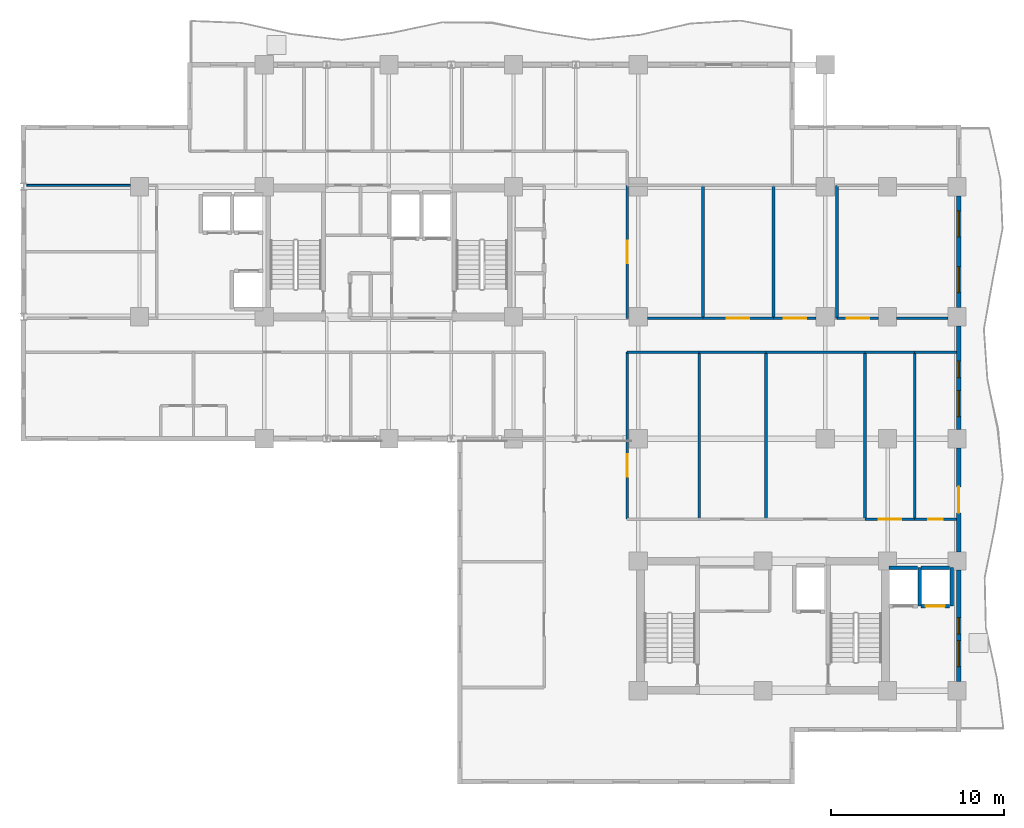
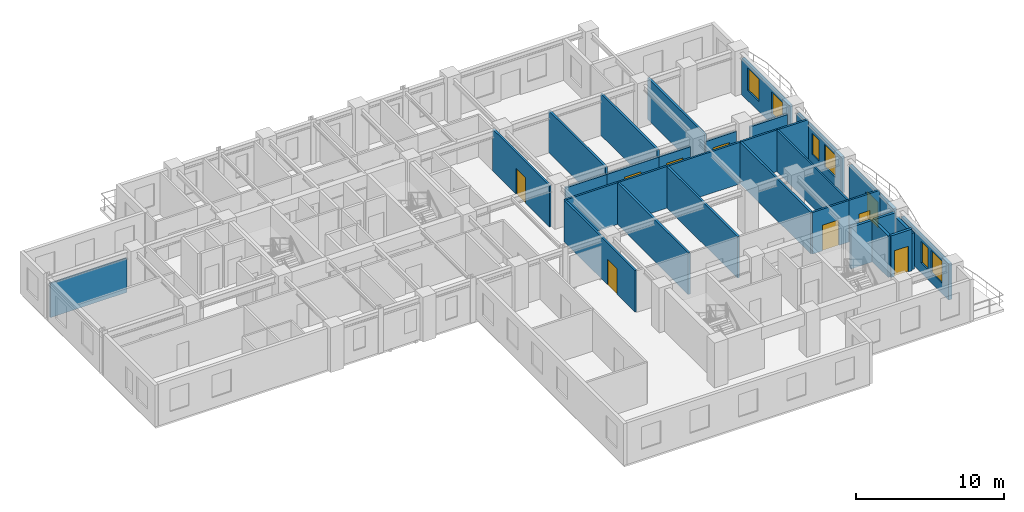
# One storey, part 7 of 13: 31 walls, 9 doors, 6 windows, 15 openings.
"""IFC4 building model written with IfcOpenShell, lengths in metres."""

import ifcopenshell
import ifcopenshell.guid

model = None  # the IFC model being written
_history = None  # IfcOwnerHistory: only IFC2X3 demands one
_inside = {}  # id of a spatial element -> (the spatial element, [elements in it])
_under = {}  # id of a project, library or spatial element -> (it, [spatial elements below it])
_declared = {}  # id of a project -> (the project, [libraries it declares])
_typed = {}  # id of a type object -> (the type object, [elements of that type])
_made_of = {}  # id of a material, layer set ... -> (it, [elements and type objects made of it])


def new_model(schema):
    """Start an empty IFC model of exactly this schema.

    Asked for "IFC4X3", IfcOpenShell would pick the latest addendum, in which some entities
    have other attributes; the version numbers below select the first issue.
    IFC2X3 requires an IfcOwnerHistory on every rooted entity: one is made here for all.
    """
    global model, _history
    if schema == "IFC4X3":
        model = ifcopenshell.file(schema_version=(4, 3, 0, 0))
    else:
        model = ifcopenshell.file(schema=schema)
    _inside.clear()
    _under.clear()
    _declared.clear()
    _typed.clear()
    _made_of.clear()
    _history = None
    if model.schema == "IFC2X3":
        org = make("IfcOrganization", Name="unknown")
        user = make(
            "IfcPersonAndOrganization",
            ThePerson=make("IfcPerson", FamilyName="unknown"),
            TheOrganization=org,
        )
        app = make(
            "IfcApplication",
            ApplicationDeveloper=org,
            Version="unknown",
            ApplicationFullName="unknown",
            ApplicationIdentifier="unknown",
        )
        _history = make(
            "IfcOwnerHistory",
            OwningUser=user,
            OwningApplication=app,
            ChangeAction="ADDED",
            CreationDate=0,
        )
    return model


def make(cls, **values):
    """One entity of the class cls with the attributes given. An attribute that is None is left unset."""
    return model.create_entity(
        cls, **{name: value for name, value in values.items() if value is not None}
    )


def rooted(cls, **values):
    """An entity with a GlobalId (a new one), such as an element, a storey or a relation."""
    return make(cls, GlobalId=ifcopenshell.guid.new(), OwnerHistory=_history, **values)


def si_unit(unit_type, name, prefix=None):
    """IfcSIUnit, for example si_unit("LENGTHUNIT", "METRE", prefix="MILLI")."""
    return make("IfcSIUnit", UnitType=unit_type, Prefix=prefix, Name=name)


def assignment(units):
    """IfcUnitAssignment: the units of a project."""
    return None if units is None else make("IfcUnitAssignment", Units=units)


def point(xyz):
    """IfcCartesianPoint."""
    return None if xyz is None else make("IfcCartesianPoint", Coordinates=xyz)


def direction(xyz):
    """IfcDirection."""
    return None if xyz is None else make("IfcDirection", DirectionRatios=xyz)


def frame(location, z_axis=None, x_axis=None):
    """IfcAxis2Placement3D, a coordinate frame: its origin and axes. An axis left out is left unset."""
    return make(
        "IfcAxis2Placement3D",
        Location=point(location),
        Axis=direction(z_axis),
        RefDirection=direction(x_axis),
    )


def frame_2d(location, x_axis=None):
    """IfcAxis2Placement2D, a coordinate frame in the plane: its origin and x axis."""
    return make(
        "IfcAxis2Placement2D", Location=point(location), RefDirection=direction(x_axis)
    )


def origin():
    """The frame at (0, 0, 0) with its axes left unset."""
    return frame((0.0, 0.0, 0.0))


def place(relative_to, where):
    """IfcLocalPlacement: puts the frame where relative to a parent placement (None: the world)."""
    return make(
        "IfcLocalPlacement", PlacementRelTo=relative_to, RelativePlacement=where
    )


def context(
    kind, dimensions, precision=None, world=None, true_north=None, identifier=None
):
    """IfcGeometricRepresentationContext, for example the 3D "Model" context."""
    return make(
        "IfcGeometricRepresentationContext",
        ContextIdentifier=identifier,
        ContextType=kind,
        CoordinateSpaceDimension=dimensions,
        Precision=precision,
        WorldCoordinateSystem=world,
        TrueNorth=true_north,
    )


def subcontext(parent, identifier, kind, view, scale=None):
    """IfcGeometricRepresentationSubContext, for example "Body" below "Model"."""
    return make(
        "IfcGeometricRepresentationSubContext",
        ContextIdentifier=identifier,
        ContextType=kind,
        ParentContext=parent,
        TargetScale=scale,
        TargetView=view,
    )


def project(units=None, contexts=None):
    """IfcProject with its units and contexts."""
    return rooted(
        "IfcProject",
        Name="project",
        RepresentationContexts=contexts,
        UnitsInContext=assignment(units),
    )


def spatial(cls, under=None, at=None, **own):
    """A site, building, storey or space (cls), placed at a placement, below another one or the project."""
    s = rooted(cls, ObjectPlacement=at, **own)
    if under is not None:
        _under.setdefault(under.id(), (under, []))[1].append(s)
    return s


def profile(cls, at=None, kind="AREA", **sizes):
    """A parametric profile (cls). Its sizes go by their IFC names, for example OverallWidth=200.0."""
    return make(cls, ProfileType=kind, Position=at, **sizes)


def rectangle(**sizes):
    """IfcRectangleProfileDef."""
    return profile("IfcRectangleProfileDef", **sizes)


def extrude(swept, where, along, depth):
    """IfcExtrudedAreaSolid: the profile swept, set in the frame where, extruded along a direction by depth."""
    return make(
        "IfcExtrudedAreaSolid",
        SweptArea=swept,
        Position=where,
        ExtrudedDirection=direction(along),
        Depth=depth,
    )


def shape(context_of_items, identifier, shape_type, items):
    """IfcShapeRepresentation: the items that make up one representation, for example the "Body"."""
    return make(
        "IfcShapeRepresentation",
        ContextOfItems=context_of_items,
        RepresentationIdentifier=identifier,
        RepresentationType=shape_type,
        Items=items,
    )


def material(Name=None, Category=None):
    """IfcMaterial."""
    return make("IfcMaterial", Name=Name, Category=Category)


def layer(
    of_material, thickness, ventilated=None, Name=None, Category=None, Priority=None
):
    """IfcMaterialLayer: one layer of a wall or slab, of a material (None: an air gap)."""
    return make(
        "IfcMaterialLayer",
        Material=of_material,
        LayerThickness=thickness,
        IsVentilated=ventilated,
        Name=Name,
        Category=Category,
        Priority=Priority,
    )


def layer_set(layers, Name=None):
    """IfcMaterialLayerSet."""
    return make("IfcMaterialLayerSet", MaterialLayers=layers, LayerSetName=Name)


def made_of(thing, what):
    """Note that an element or type object is made of a material, layer set ...; save() writes the relation."""
    if what is not None:
        _made_of.setdefault(what.id(), (what, []))[1].append(thing)
    return thing


def type_object(cls, material=None, **own):
    """A type object (cls), such as IfcWallType, which elements share."""
    return made_of(rooted(cls, **own), material)


def element(
    cls,
    number,
    at=None,
    inside=None,
    cuts=None,
    type_object=None,
    material=None,
    context=None,
    identifier="Body",
    shape_type=None,
    held_by="IfcProductDefinitionShape",
    body=None,
    shapes=None,
    **own,
):
    """One element of the class cls, such as IfcWall. Its Tag is "e" and its number.

    at: its placement. inside: the storey or other place that contains it. cuts: it is an
    opening in that element (IfcRelVoidsElement). A single representation is given by context,
    identifier, shape_type and body (its items); several are given by shapes. held_by: the class
    of the entity that holds the representations. save() writes the other relations.
    """
    e = rooted(cls, Tag="e%d" % number, ObjectPlacement=at, **own)
    if body is not None:
        shapes = [shape(context, identifier, shape_type, body)]
    if shapes is not None:
        e.Representation = make(held_by, Representations=shapes)
    if inside is not None:
        _inside.setdefault(inside.id(), (inside, []))[1].append(e)
    if cuts is not None:
        rooted(
            "IfcRelVoidsElement", RelatingBuildingElement=cuts, RelatedOpeningElement=e
        )
    if type_object is not None:
        _typed.setdefault(type_object.id(), (type_object, []))[1].append(e)
    return made_of(e, material)


def fill(opening, filler):
    """IfcRelFillsElement: the door or window that sits in an opening."""
    return rooted(
        "IfcRelFillsElement",
        RelatingOpeningElement=opening,
        RelatedBuildingElement=filler,
    )


def aggregate(whole, parts):
    """IfcRelAggregates: a whole, such as a stair, and the parts it consists of."""
    return rooted("IfcRelAggregates", RelatingObject=whole, RelatedObjects=parts)


def save(model, path):
    """Write the relations noted so far, then the file.

    IfcRelAggregates (storeys below a building ...), IfcRelContainedInSpatialStructure (elements
    in a storey), IfcRelDefinesByType, IfcRelAssociatesMaterial and IfcRelDeclares: one each for
    every whole, place, type object, material and project.
    """
    for whole, parts in _under.values():
        aggregate(whole, parts)
    for where, things in _inside.values():
        rooted(
            "IfcRelContainedInSpatialStructure",
            RelatedElements=things,
            RelatingStructure=where,
        )
    for kind, things in _typed.values():
        rooted("IfcRelDefinesByType", RelatedObjects=things, RelatingType=kind)
    for what, things in _made_of.values():
        rooted("IfcRelAssociatesMaterial", RelatedObjects=things, RelatingMaterial=what)
    for by, libraries in _declared.values():
        rooted("IfcRelDeclares", RelatingContext=by, RelatedDefinitions=libraries)
    model.write(path)


model = new_model("IFC4")

# Units and contexts
model_context = context("Model", 3, precision=1e-05, world=origin(), true_north=direction((0.0, 1.0)))
body_context = subcontext(model_context, "Body", "Model", "MODEL_VIEW")
ifc_project = project(units=[si_unit("LENGTHUNIT", "METRE"), si_unit("AREAUNIT", "SQUARE_METRE"), si_unit("VOLUMEUNIT", "CUBIC_METRE"), si_unit("PLANEANGLEUNIT", "RADIAN"), si_unit("MASSUNIT", "GRAM", prefix="KILO")], contexts=[model_context])

# Site, building, storey
site_placement = place(None, origin())
site = spatial("IfcSite", under=ifc_project, at=site_placement, CompositionType="ELEMENT")
building_placement = place(site_placement, origin())
building = spatial("IfcBuilding", under=site, at=building_placement, Name="Kaliganga Portal Commons", CompositionType="ELEMENT")
storey_placement = place(building_placement, frame((0.0, 0.0, 173.5)))
storey = spatial("IfcBuildingStorey", under=building, at=storey_placement, Name="L44", CompositionType="ELEMENT", Elevation=173.5)

# Wall, openings, windows
ifc_material_1 = material(Name="Insulated Aluminium-Clad Spandrel Assembly", Category="aluminium")
ifc_layer_1 = layer(ifc_material_1, 0.260009765625)
ifc_layer_set_1 = layer_set([ifc_layer_1], Name="Insulated Aluminium-Clad Spandrel Assembly")
wall_type_1 = type_object("IfcWallType", Name="WL-EXT-SPAND-260", PredefinedType="STANDARD", material=ifc_layer_set_1)
wall_1_placement = place(storey_placement, frame((54.5, 14.02392578125, 0.0), z_axis=(0.0, 0.0, 1.0), x_axis=(0.0, -1.0, 0.0)))
wall_1 = element("IfcWall", 1, at=wall_1_placement, inside=storey, type_object=wall_type_1, Name="Exterior Envelope Wall L44 P1-E03-S2", PredefinedType="STANDARD", context=body_context, shape_type="SweptSolid", body=[
    extrude(rectangle(XDim=6.447998046875, YDim=0.260009765625, at=frame_2d((3.22412109375, 0.0))), origin(), (0.0, 0.0, 1.0), 2.989990234375),
])
opening_1_placement = place(wall_1_placement, frame((4.0859375, 0.0, 0.85009765625)))
opening_1 = element("IfcOpeningElement", 2, at=opening_1_placement, cuts=wall_1, Name="Opening W-02", PredefinedType="OPENING", context=body_context, shape_type="SweptSolid", body=[
    extrude(rectangle(XDim=1.5, YDim=1.85009765625, at=frame_2d((0.75, 0.925048828125))), frame((0.0, 0.14013671875, 0.0), z_axis=(0.0, -1.0, 0.0), x_axis=(1.0, 0.0, 0.0)), (0.0, 0.0, 1.0), 0.280029296875),
])
opening_2_placement = place(wall_1_placement, frame((2.7490234375, 0.0, 0.85009765625)))
opening_2 = element("IfcOpeningElement", 3, at=opening_2_placement, cuts=wall_1, Name="Opening W-04", PredefinedType="OPENING", context=body_context, shape_type="SweptSolid", body=[
    extrude(rectangle(XDim=0.949951171875, YDim=1.75, at=frame_2d((0.47509765625, 0.875))), frame((0.0, 0.14013671875, 0.0), z_axis=(0.0, -1.0, 0.0), x_axis=(1.0, 0.0, 0.0)), (0.0, 0.0, 1.0), 0.280029296875),
])
ifc_material_2 = material(Name="Thermally Broken Aluminium and Low-E Double Glazing", Category="aluminium")
window_type_1 = type_object("IfcWindowType", Name="WIN-NARROW-950", PartitioningType="SINGLE_PANEL", PredefinedType="WINDOW", material=ifc_material_2)
window_1_placement = place(opening_2_placement, origin())
window_1 = element("IfcWindow", 4, at=window_1_placement, inside=storey, type_object=window_type_1, Name="Facade Window L44-P1E03S2-N0", OverallHeight=1.75, OverallWidth=0.949951171875, PartitioningType="SINGLE_PANEL", PredefinedType="WINDOW", context=body_context, shape_type="SweptSolid", body=[
    extrude(rectangle(XDim=0.949951171875, YDim=1.75, at=frame_2d((0.47509765625, 0.875))), frame((0.0, 0.030029296875, 0.0), z_axis=(0.0, -1.0, 0.0), x_axis=(1.0, 0.0, 0.0)), (0.0, 0.0, 1.0), 0.06005859375),
])
fill(opening_2, window_1)
window_type_2 = type_object("IfcWindowType", Name="WIN-STD-1500", PartitioningType="DOUBLE_PANEL_VERTICAL", PredefinedType="WINDOW", material=ifc_material_2)
window_2_placement = place(opening_1_placement, origin())
window_2 = element("IfcWindow", 5, at=window_2_placement, inside=storey, type_object=window_type_2, Name="Facade Window L44-P1E03S2-01", OverallHeight=1.85009765625, OverallWidth=1.5, PartitioningType="SINGLE_PANEL", PredefinedType="WINDOW", context=body_context, shape_type="SweptSolid", body=[
    extrude(rectangle(XDim=1.5, YDim=1.85009765625, at=frame_2d((0.75, 0.925048828125))), frame((0.0, 0.030029296875, 0.0), z_axis=(0.0, -1.0, 0.0), x_axis=(1.0, 0.0, 0.0)), (0.0, 0.0, 1.0), 0.06005859375),
])
fill(opening_1, window_2)

# Wall, opening, door
wall_2_placement = place(storey_placement, frame((54.5, 21.073974609375, 0.0), z_axis=(0.0, 0.0, 1.0), x_axis=(0.0, -1.0, 0.0)))
wall_2 = element("IfcWall", 6, at=wall_2_placement, inside=storey, type_object=wall_type_1, Name="Exterior Envelope Wall L44 P1-E03-S3", PredefinedType="STANDARD", context=body_context, shape_type="SweptSolid", body=[
    extrude(rectangle(XDim=5.998046875, YDim=0.260009765625, at=frame_2d((2.9990234375, 0.0))), origin(), (0.0, 0.0, 1.0), 2.989990234375),
])
opening_3_placement = place(wall_2_placement, frame((2.2490234375, 0.0, 0.0)))
opening_3 = element("IfcOpeningElement", 7, at=opening_3_placement, cuts=wall_2, Name="Opening BD-01", PredefinedType="OPENING", context=body_context, shape_type="SweptSolid", body=[
    extrude(rectangle(XDim=1.5, YDim=2.14990234375, at=frame_2d((0.75, 1.074951171875))), frame((0.0, 0.14013671875, 0.0), z_axis=(0.0, -1.0, 0.0), x_axis=(1.0, 0.0, 0.0)), (0.0, 0.0, 1.0), 0.280029296875),
])
ifc_material_3 = material(Name="Anodized Aluminium and Laminated Safety Glass", Category="aluminium")
door_type_1 = type_object("IfcDoorType", Name="DR-BALC-1500", OperationType="SLIDING_TO_LEFT", PredefinedType="DOOR", material=ifc_material_3)
door_1_placement = place(opening_3_placement, origin())
door_1 = element("IfcDoor", 8, at=door_1_placement, inside=storey, type_object=door_type_1, Name="Balcony Sliding Door L44 balc_east", OperationType="SLIDING_TO_LEFT", OverallHeight=2.14990234375, OverallWidth=1.5, PredefinedType="DOOR", context=body_context, shape_type="SweptSolid", body=[
    extrude(rectangle(XDim=1.5, YDim=2.14990234375, at=frame_2d((0.75, 1.074951171875))), frame((0.0, 0.02490234375, 0.0), z_axis=(0.0, -1.0, 0.0), x_axis=(1.0, 0.0, 0.0)), (0.0, 0.0, 1.0), 0.050048828125),
])
fill(opening_3, door_1)

# Wall, openings, windows
wall_3_placement = place(storey_placement, frame((54.5, 28.1240234375, 0.0), z_axis=(0.0, 0.0, 1.0), x_axis=(0.0, -1.0, 0.0)))
wall_3 = element("IfcWall", 9, at=wall_3_placement, inside=storey, type_object=wall_type_1, Name="Exterior Envelope Wall L44 P1-E03-S4", PredefinedType="STANDARD", context=body_context, shape_type="SweptSolid", body=[
    extrude(rectangle(XDim=5.998046875, YDim=0.260009765625, at=frame_2d((2.9990234375, 0.0))), origin(), (0.0, 0.0, 1.0), 2.989990234375),
])
opening_4_placement = place(wall_3_placement, frame((3.74853515625, 0.0, 0.85009765625)))
opening_4 = element("IfcOpeningElement", 10, at=opening_4_placement, cuts=wall_3, Name="Opening W-02", PredefinedType="OPENING", context=body_context, shape_type="SweptSolid", body=[
    extrude(rectangle(XDim=1.5, YDim=1.85009765625, at=frame_2d((0.75, 0.925048828125))), frame((0.0, 0.14013671875, 0.0), z_axis=(0.0, -1.0, 0.0), x_axis=(1.0, 0.0, 0.0)), (0.0, 0.0, 1.0), 0.280029296875),
])
opening_5_placement = place(wall_3_placement, frame((2.044189453125, 0.0, 0.85009765625)))
opening_5 = element("IfcOpeningElement", 11, at=opening_5_placement, cuts=wall_3, Name="Opening W-04", PredefinedType="OPENING", context=body_context, shape_type="SweptSolid", body=[
    extrude(rectangle(XDim=0.949951171875, YDim=1.75, at=frame_2d((0.47509765625, 0.875))), frame((0.0, 0.14013671875, 0.0), z_axis=(0.0, -1.0, 0.0), x_axis=(1.0, 0.0, 0.0)), (0.0, 0.0, 1.0), 0.280029296875),
])
window_3_placement = place(opening_5_placement, origin())
window_3 = element("IfcWindow", 12, at=window_3_placement, inside=storey, type_object=window_type_1, Name="Facade Window L44-P1E03S4-N5", OverallHeight=1.75, OverallWidth=0.949951171875, PartitioningType="SINGLE_PANEL", PredefinedType="WINDOW", context=body_context, shape_type="SweptSolid", body=[
    extrude(rectangle(XDim=0.949951171875, YDim=1.75, at=frame_2d((0.47509765625, 0.875))), frame((0.0, 0.030029296875, 0.0), z_axis=(0.0, -1.0, 0.0), x_axis=(1.0, 0.0, 0.0)), (0.0, 0.0, 1.0), 0.06005859375),
])
fill(opening_5, window_3)
window_4_placement = place(opening_4_placement, origin())
window_4 = element("IfcWindow", 13, at=window_4_placement, inside=storey, type_object=window_type_2, Name="Facade Window L44-P1E03S4-01", OverallHeight=1.85009765625, OverallWidth=1.5, PartitioningType="SINGLE_PANEL", PredefinedType="WINDOW", context=body_context, shape_type="SweptSolid", body=[
    extrude(rectangle(XDim=1.5, YDim=1.85009765625, at=frame_2d((0.75, 0.925048828125))), frame((0.0, 0.030029296875, 0.0), z_axis=(0.0, -1.0, 0.0), x_axis=(1.0, 0.0, 0.0)), (0.0, 0.0, 1.0), 0.06005859375),
])
fill(opening_4, window_4)

wall_4_placement = place(storey_placement, frame((54.5, 35.6240234375, 0.0), z_axis=(0.0, 0.0, 1.0), x_axis=(0.0, -1.0, 0.0)))
wall_4 = element("IfcWall", 14, at=wall_4_placement, inside=storey, type_object=wall_type_1, Name="Exterior Envelope Wall L44 P1-E03-S5", PredefinedType="STANDARD", context=body_context, shape_type="SweptSolid", body=[
    extrude(rectangle(XDim=6.447998046875, YDim=0.260009765625, at=frame_2d((3.22412109375, 0.0))), origin(), (0.0, 0.0, 1.0), 2.989990234375),
])
opening_6_placement = place(wall_4_placement, frame((0.862060546875, 0.0, 0.85009765625)))
opening_6 = element("IfcOpeningElement", 15, at=opening_6_placement, cuts=wall_4, Name="Opening W-02", PredefinedType="OPENING", context=body_context, shape_type="SweptSolid", body=[
    extrude(rectangle(XDim=1.5, YDim=1.85009765625, at=frame_2d((0.75, 0.925048828125))), frame((0.0, 0.14013671875, 0.0), z_axis=(0.0, -1.0, 0.0), x_axis=(1.0, 0.0, 0.0)), (0.0, 0.0, 1.0), 0.280029296875),
])
opening_7_placement = place(wall_4_placement, frame((4.0859375, 0.0, 0.85009765625)))
opening_7 = element("IfcOpeningElement", 16, at=opening_7_placement, cuts=wall_4, Name="Opening W-02", PredefinedType="OPENING", context=body_context, shape_type="SweptSolid", body=[
    extrude(rectangle(XDim=1.5, YDim=1.85009765625, at=frame_2d((0.75, 0.925048828125))), frame((0.0, 0.14013671875, 0.0), z_axis=(0.0, -1.0, 0.0), x_axis=(1.0, 0.0, 0.0)), (0.0, 0.0, 1.0), 0.280029296875),
])
window_5_placement = place(opening_6_placement, origin())
window_5 = element("IfcWindow", 17, at=window_5_placement, inside=storey, type_object=window_type_2, Name="Facade Window L44-P1E03S5-00", OverallHeight=1.85009765625, OverallWidth=1.5, PartitioningType="SINGLE_PANEL", PredefinedType="WINDOW", context=body_context, shape_type="SweptSolid", body=[
    extrude(rectangle(XDim=1.5, YDim=1.85009765625, at=frame_2d((0.75, 0.925048828125))), frame((0.0, 0.030029296875, 0.0), z_axis=(0.0, -1.0, 0.0), x_axis=(1.0, 0.0, 0.0)), (0.0, 0.0, 1.0), 0.06005859375),
])
fill(opening_6, window_5)
window_6_placement = place(opening_7_placement, origin())
window_6 = element("IfcWindow", 18, at=window_6_placement, inside=storey, type_object=window_type_2, Name="Facade Window L44-P1E03S5-01", OverallHeight=1.85009765625, OverallWidth=1.5, PartitioningType="SINGLE_PANEL", PredefinedType="WINDOW", context=body_context, shape_type="SweptSolid", body=[
    extrude(rectangle(XDim=1.5, YDim=1.85009765625, at=frame_2d((0.75, 0.925048828125))), frame((0.0, 0.030029296875, 0.0), z_axis=(0.0, -1.0, 0.0), x_axis=(1.0, 0.0, 0.0)), (0.0, 0.0, 1.0), 0.06005859375),
])
fill(opening_7, window_6)

# Wall, opening, door
ifc_material_4 = material(Name="Fire-Rated Gypsum Board on Steel Stud", Category="steel")
ifc_layer_2 = layer(ifc_material_4, 0.14990234375)
ifc_layer_set_2 = layer_set([ifc_layer_2], Name="Fire-Rated Gypsum Board on Steel Stud")
wall_type_2 = type_object("IfcWallType", Name="WL-PART-CORR-150", PredefinedType="PARTITIONING", material=ifc_layer_set_2)
wall_5_placement = place(storey_placement, frame((35.360107421875, 16.9599609375, 0.0), z_axis=(0.0, 0.0, 1.0), x_axis=(0.0, 1.0, 0.0)))
wall_5 = element("IfcWall", 19, at=wall_5_placement, inside=storey, type_object=wall_type_2, Name="Interior Partition L44-007", PredefinedType="PARTITIONING", context=body_context, shape_type="SweptSolid", body=[
    extrude(rectangle(XDim=9.64013671875, YDim=0.14990234375, at=frame_2d((4.820068359375, 0.0))), origin(), (0.0, 0.0, 1.0), 3.43994140625),
])
opening_8_placement = place(wall_5_placement, frame((2.434814453125, 0.0, 0.0)))
opening_8 = element("IfcOpeningElement", 20, at=opening_8_placement, cuts=wall_5, Name="Opening RD-03", PredefinedType="OPENING", context=body_context, shape_type="SweptSolid", body=[
    extrude(rectangle(XDim=1.300048828125, YDim=2.1201171875, at=frame_2d((0.64990234375, 1.06005859375))), frame((0.0, 0.0849609375, 0.0), z_axis=(0.0, -1.0, 0.0), x_axis=(1.0, 0.0, 0.0)), (0.0, 0.0, 1.0), 0.169921875),
])
ifc_material_5 = material(Name="Glazed Timber Seminar Vision Door", Category="wood")
door_type_2 = type_object("IfcDoorType", Name="DR-STUDY-1300", OperationType="DOUBLE_DOOR_SINGLE_SWING", PredefinedType="DOOR", material=ifc_material_5)
door_2_placement = place(opening_8_placement, origin())
door_2 = element("IfcDoor", 21, at=door_2_placement, inside=storey, type_object=door_type_2, Name="Interior Door L44-BM01", OperationType="DOUBLE_DOOR_SINGLE_SWING", OverallHeight=2.1201171875, OverallWidth=1.300048828125, PredefinedType="DOOR", context=body_context, shape_type="SweptSolid", body=[
    extrude(rectangle(XDim=1.300048828125, YDim=2.1201171875, at=frame_2d((0.64990234375, 1.06005859375))), frame((0.0, 0.02490234375, 0.0), z_axis=(0.0, -1.0, 0.0), x_axis=(1.0, 0.0, 0.0)), (0.0, 0.0, 1.0), 0.050048828125),
])
fill(opening_8, door_2)

wall_6_placement = place(storey_placement, frame((35.360107421875, 28.56005859375, 0.0), z_axis=(0.0, 0.0, 1.0), x_axis=(0.0, 1.0, 0.0)))
wall_6 = element("IfcWall", 22, at=wall_6_placement, inside=storey, type_object=wall_type_2, Name="Interior Partition L44-012", PredefinedType="PARTITIONING", context=body_context, shape_type="SweptSolid", body=[
    extrude(rectangle(XDim=7.679931640625, YDim=0.14990234375, at=frame_2d((3.83984375, 0.0))), origin(), (0.0, 0.0, 1.0), 3.43994140625),
])
opening_9_placement = place(wall_6_placement, frame((3.18994140625, 0.0, 0.0)))
opening_9 = element("IfcOpeningElement", 23, at=opening_9_placement, cuts=wall_6, Name="Opening RD-03", PredefinedType="OPENING", context=body_context, shape_type="SweptSolid", body=[
    extrude(rectangle(XDim=1.300048828125, YDim=2.1201171875, at=frame_2d((0.64990234375, 1.06005859375))), frame((0.0, 0.0849609375, 0.0), z_axis=(0.0, -1.0, 0.0), x_axis=(1.0, 0.0, 0.0)), (0.0, 0.0, 1.0), 0.169921875),
])
door_3_placement = place(opening_9_placement, origin())
door_3 = element("IfcDoor", 24, at=door_3_placement, inside=storey, type_object=door_type_2, Name="Interior Door L44-BK01", OperationType="DOUBLE_DOOR_SINGLE_SWING", OverallHeight=2.1201171875, OverallWidth=1.300048828125, PredefinedType="DOOR", context=body_context, shape_type="SweptSolid", body=[
    extrude(rectangle(XDim=1.300048828125, YDim=2.1201171875, at=frame_2d((0.64990234375, 1.06005859375))), frame((0.0, 0.02490234375, 0.0), z_axis=(0.0, -1.0, 0.0), x_axis=(1.0, 0.0, 0.0)), (0.0, 0.0, 1.0), 0.050048828125),
])
fill(opening_9, door_3)

wall_7_placement = place(storey_placement, frame((47.47998046875, 28.56005859375, 0.0), z_axis=(0.0, 0.0, 1.0), x_axis=(1.0, 0.0, 0.0)))
wall_7 = element("IfcWall", 25, at=wall_7_placement, inside=storey, type_object=wall_type_2, Name="Interior Partition L44-015", PredefinedType="PARTITIONING", context=body_context, shape_type="SweptSolid", body=[
    extrude(rectangle(XDim=2.39501953125, YDim=0.14990234375, at=frame_2d((1.197509765625, 0.0))), origin(), (0.0, 0.0, 1.0), 2.840087890625),
])
opening_10_placement = place(wall_7_placement, frame((0.547607421875, 0.0, 0.0)))
opening_10 = element("IfcOpeningElement", 26, at=opening_10_placement, cuts=wall_7, Name="Opening RD-03", PredefinedType="OPENING", context=body_context, shape_type="SweptSolid", body=[
    extrude(rectangle(XDim=1.300048828125, YDim=2.1201171875, at=frame_2d((0.64990234375, 1.06005859375))), frame((0.0, 0.0849609375, 0.0), z_axis=(0.0, -1.0, 0.0), x_axis=(1.0, 0.0, 0.0)), (0.0, 0.0, 1.0), 0.169921875),
])
door_4_placement = place(opening_10_placement, origin())
door_4 = element("IfcDoor", 27, at=door_4_placement, inside=storey, type_object=door_type_2, Name="Interior Door L44-BK04", OperationType="DOUBLE_DOOR_SINGLE_SWING", OverallHeight=2.1201171875, OverallWidth=1.300048828125, PredefinedType="DOOR", context=body_context, shape_type="SweptSolid", body=[
    extrude(rectangle(XDim=1.300048828125, YDim=2.1201171875, at=frame_2d((0.64990234375, 1.06005859375))), frame((0.0, 0.02490234375, 0.0), z_axis=(0.0, -1.0, 0.0), x_axis=(1.0, 0.0, 0.0)), (0.0, 0.0, 1.0), 0.050048828125),
])
fill(opening_10, door_4)

# Walls
wall_8_placement = place(storey_placement, frame((50.925048828125, 28.56005859375, 0.0), z_axis=(0.0, 0.0, 1.0), x_axis=(1.0, 0.0, 0.0)))
element("IfcWall", 28, at=wall_8_placement, inside=storey, type_object=wall_type_2, Name="Interior Partition L44-016", PredefinedType="PARTITIONING", context=body_context, shape_type="SweptSolid", body=[
    extrude(rectangle(XDim=2.949951171875, YDim=0.14990234375, at=frame_2d((1.47509765625, 0.0))), origin(), (0.0, 0.0, 1.0), 2.840087890625),
])
wall_9_placement = place(storey_placement, frame((43.3798828125, 26.60009765625, 0.0), z_axis=(0.0, 0.0, 1.0), x_axis=(1.0, 0.0, 0.0)))
element("IfcWall", 29, at=wall_9_placement, inside=storey, type_object=wall_type_2, Name="Interior Partition L44-018", PredefinedType="PARTITIONING", context=body_context, shape_type="SweptSolid", body=[
    extrude(rectangle(XDim=5.72021484375, YDim=0.14990234375, at=frame_2d((2.860107421875, 0.0))), origin(), (0.0, 0.0, 1.0), 3.43994140625),
])
wall_10_placement = place(storey_placement, frame((36.52490234375, 28.56005859375, 0.0), z_axis=(0.0, 0.0, 1.0), x_axis=(1.0, 0.0, 0.0)))
element("IfcWall", 30, at=wall_10_placement, inside=storey, type_object=wall_type_2, Name="Interior Partition L44-024", PredefinedType="PARTITIONING", context=body_context, shape_type="SweptSolid", body=[
    extrude(rectangle(XDim=3.215087890625, YDim=0.14990234375, at=frame_2d((1.607421875, 0.0))), origin(), (0.0, 0.0, 1.0), 2.840087890625),
])
wall_11_placement = place(storey_placement, frame((35.360107421875, 26.60009765625, 0.0), z_axis=(0.0, 0.0, 1.0), x_axis=(1.0, 0.0, 0.0)))
element("IfcWall", 31, at=wall_11_placement, inside=storey, type_object=wall_type_2, Name="Interior Partition L44-026", PredefinedType="PARTITIONING", context=body_context, shape_type="SweptSolid", body=[
    extrude(rectangle(XDim=4.159912109375, YDim=0.14990234375, at=frame_2d((2.080078125, 0.0))), origin(), (0.0, 0.0, 1.0), 3.43994140625),
])

# Wall, opening, door
wall_12_placement = place(storey_placement, frame((39.739990234375, 28.56005859375, 0.0), z_axis=(0.0, 0.0, 1.0), x_axis=(1.0, 0.0, 0.0)))
wall_12 = element("IfcWall", 32, at=wall_12_placement, inside=storey, type_object=wall_type_2, Name="Interior Partition L44-028", PredefinedType="PARTITIONING", context=body_context, shape_type="SweptSolid", body=[
    extrude(rectangle(XDim=4.06005859375, YDim=0.14990234375, at=frame_2d((2.030029296875, 0.0))), origin(), (0.0, 0.0, 1.0), 2.840087890625),
])
opening_11_placement = place(wall_12_placement, frame((1.3798828125, 0.0, 0.0)))
opening_11 = element("IfcOpeningElement", 33, at=opening_11_placement, cuts=wall_12, Name="Opening RD-03", PredefinedType="OPENING", context=body_context, shape_type="SweptSolid", body=[
    extrude(rectangle(XDim=1.300048828125, YDim=2.1201171875, at=frame_2d((0.64990234375, 1.06005859375))), frame((0.0, 0.0849609375, 0.0), z_axis=(0.0, -1.0, 0.0), x_axis=(1.0, 0.0, 0.0)), (0.0, 0.0, 1.0), 0.169921875),
])
door_5_placement = place(opening_11_placement, origin())
door_5 = element("IfcDoor", 34, at=door_5_placement, inside=storey, type_object=door_type_2, Name="Interior Door L44-BK02", OperationType="DOUBLE_DOOR_SINGLE_SWING", OverallHeight=2.1201171875, OverallWidth=1.300048828125, PredefinedType="DOOR", context=body_context, shape_type="SweptSolid", body=[
    extrude(rectangle(XDim=1.300048828125, YDim=2.1201171875, at=frame_2d((0.64990234375, 1.06005859375))), frame((0.0, 0.02490234375, 0.0), z_axis=(0.0, -1.0, 0.0), x_axis=(1.0, 0.0, 0.0)), (0.0, 0.0, 1.0), 0.050048828125),
])
fill(opening_11, door_5)

# Wall
wall_13_placement = place(storey_placement, frame((39.52001953125, 26.60009765625, 0.0), z_axis=(0.0, 0.0, 1.0), x_axis=(1.0, 0.0, 0.0)))
element("IfcWall", 35, at=wall_13_placement, inside=storey, type_object=wall_type_2, Name="Interior Partition L44-031", PredefinedType="PARTITIONING", context=body_context, shape_type="SweptSolid", body=[
    extrude(rectangle(XDim=3.85986328125, YDim=0.14990234375, at=frame_2d((1.929931640625, 0.0))), origin(), (0.0, 0.0, 1.0), 3.43994140625),
])

# Wall, opening, door
wall_14_placement = place(storey_placement, frame((43.800048828125, 28.56005859375, 0.0), z_axis=(0.0, 0.0, 1.0), x_axis=(1.0, 0.0, 0.0)))
wall_14 = element("IfcWall", 36, at=wall_14_placement, inside=storey, type_object=wall_type_2, Name="Interior Partition L44-034", PredefinedType="PARTITIONING", context=body_context, shape_type="SweptSolid", body=[
    extrude(rectangle(XDim=2.474853515625, YDim=0.14990234375, at=frame_2d((1.2373046875, 0.0))), origin(), (0.0, 0.0, 1.0), 2.840087890625),
])
opening_12_placement = place(wall_14_placement, frame((0.58740234375, 0.0, 0.0)))
opening_12 = element("IfcOpeningElement", 37, at=opening_12_placement, cuts=wall_14, Name="Opening RD-03", PredefinedType="OPENING", context=body_context, shape_type="SweptSolid", body=[
    extrude(rectangle(XDim=1.300048828125, YDim=2.1201171875, at=frame_2d((0.64990234375, 1.06005859375))), frame((0.0, 0.0849609375, 0.0), z_axis=(0.0, -1.0, 0.0), x_axis=(1.0, 0.0, 0.0)), (0.0, 0.0, 1.0), 0.169921875),
])
door_6_placement = place(opening_12_placement, origin())
door_6 = element("IfcDoor", 38, at=door_6_placement, inside=storey, type_object=door_type_2, Name="Interior Door L44-BK03", OperationType="DOUBLE_DOOR_SINGLE_SWING", OverallHeight=2.1201171875, OverallWidth=1.300048828125, PredefinedType="DOOR", context=body_context, shape_type="SweptSolid", body=[
    extrude(rectangle(XDim=1.300048828125, YDim=2.1201171875, at=frame_2d((0.64990234375, 1.06005859375))), frame((0.0, 0.02490234375, 0.0), z_axis=(0.0, -1.0, 0.0), x_axis=(1.0, 0.0, 0.0)), (0.0, 0.0, 1.0), 0.050048828125),
])
fill(opening_12, door_6)

wall_15_placement = place(storey_placement, frame((49.10009765625, 16.9599609375, 0.0), z_axis=(0.0, 0.0, 1.0), x_axis=(1.0, 0.0, 0.0)))
wall_15 = element("IfcWall", 39, at=wall_15_placement, inside=storey, type_object=wall_type_2, Name="Interior Partition L44-038", PredefinedType="PARTITIONING", context=body_context, shape_type="SweptSolid", body=[
    extrude(rectangle(XDim=2.85986328125, YDim=0.14990234375, at=frame_2d((1.429931640625, 0.0))), origin(), (0.0, 0.0, 1.0), 3.43994140625),
])
opening_13_placement = place(wall_15_placement, frame((0.780029296875, 0.0, 0.0)))
opening_13 = element("IfcOpeningElement", 40, at=opening_13_placement, cuts=wall_15, Name="Opening RD-03", PredefinedType="OPENING", context=body_context, shape_type="SweptSolid", body=[
    extrude(rectangle(XDim=1.300048828125, YDim=2.1201171875, at=frame_2d((0.64990234375, 1.06005859375))), frame((0.0, 0.0849609375, 0.0), z_axis=(0.0, -1.0, 0.0), x_axis=(1.0, 0.0, 0.0)), (0.0, 0.0, 1.0), 0.169921875),
])
door_7_placement = place(opening_13_placement, origin())
door_7 = element("IfcDoor", 41, at=door_7_placement, inside=storey, type_object=door_type_2, Name="Interior Door L44-BM04", OperationType="DOUBLE_DOOR_SINGLE_SWING", OverallHeight=2.1201171875, OverallWidth=1.300048828125, PredefinedType="DOOR", context=body_context, shape_type="SweptSolid", body=[
    extrude(rectangle(XDim=1.300048828125, YDim=2.1201171875, at=frame_2d((0.64990234375, 1.06005859375))), frame((0.0, 0.02490234375, 0.0), z_axis=(0.0, -1.0, 0.0), x_axis=(1.0, 0.0, 0.0)), (0.0, 0.0, 1.0), 0.050048828125),
])
fill(opening_13, door_7)

# Wall
wall_16_placement = place(storey_placement, frame((49.10009765625, 26.60009765625, 0.0), z_axis=(0.0, 0.0, 1.0), x_axis=(1.0, 0.0, 0.0)))
element("IfcWall", 42, at=wall_16_placement, inside=storey, type_object=wall_type_2, Name="Interior Partition L44-039", PredefinedType="PARTITIONING", context=body_context, shape_type="SweptSolid", body=[
    extrude(rectangle(XDim=2.85986328125, YDim=0.14990234375, at=frame_2d((1.429931640625, 0.0))), origin(), (0.0, 0.0, 1.0), 3.43994140625),
])

# Wall, opening, door
wall_17_placement = place(storey_placement, frame((51.9599609375, 16.9599609375, 0.0), z_axis=(0.0, 0.0, 1.0), x_axis=(1.0, 0.0, 0.0)))
wall_17 = element("IfcWall", 43, at=wall_17_placement, inside=storey, type_object=wall_type_2, Name="Interior Partition L44-044", PredefinedType="PARTITIONING", context=body_context, shape_type="SweptSolid", body=[
    extrude(rectangle(XDim=2.407958984375, YDim=0.14990234375, at=frame_2d((1.2041015625, 0.0))), origin(), (0.0, 0.0, 1.0), 3.43994140625),
])
opening_14_placement = place(wall_17_placement, frame((0.779052734375, 0.0, 0.0)))
opening_14 = element("IfcOpeningElement", 44, at=opening_14_placement, cuts=wall_17, Name="Opening WD-01", PredefinedType="OPENING", context=body_context, shape_type="SweptSolid", body=[
    extrude(rectangle(XDim=0.85009765625, YDim=2.0400390625, at=frame_2d((0.425048828125, 1.02001953125))), frame((0.0, 0.0849609375, 0.0), z_axis=(0.0, -1.0, 0.0), x_axis=(1.0, 0.0, 0.0)), (0.0, 0.0, 1.0), 0.169921875),
])
ifc_material_6 = material(Name="Moisture-Resistant Laminate Timber Door", Category="wood")
door_type_3 = type_object("IfcDoorType", Name="DR-WET-850", OperationType="NOTDEFINED", PredefinedType="DOOR", material=ifc_material_6)
door_8_placement = place(opening_14_placement, origin())
door_8 = element("IfcDoor", 45, at=door_8_placement, inside=storey, type_object=door_type_3, Name="Interior Door L44-BM05", OperationType="SINGLE_SWING_RIGHT", OverallHeight=2.0400390625, OverallWidth=0.85009765625, PredefinedType="DOOR", context=body_context, shape_type="SweptSolid", body=[
    extrude(rectangle(XDim=0.85009765625, YDim=2.0400390625, at=frame_2d((0.425048828125, 1.02001953125))), frame((0.0, 0.02490234375, 0.0), z_axis=(0.0, -1.0, 0.0), x_axis=(1.0, 0.0, 0.0)), (0.0, 0.0, 1.0), 0.050048828125),
])
fill(opening_14, door_8)

# Walls
wall_18_placement = place(storey_placement, frame((51.9599609375, 26.60009765625, 0.0), z_axis=(0.0, 0.0, 1.0), x_axis=(1.0, 0.0, 0.0)))
element("IfcWall", 46, at=wall_18_placement, inside=storey, type_object=wall_type_2, Name="Interior Partition L44-045", PredefinedType="PARTITIONING", context=body_context, shape_type="SweptSolid", body=[
    extrude(rectangle(XDim=2.407958984375, YDim=0.14990234375, at=frame_2d((1.2041015625, 0.0))), origin(), (0.0, 0.0, 1.0), 3.43994140625),
])
ifc_material_7 = material(Name="Moisture-Resistant Gypsum Partition", Category="gypsum")
ifc_layer_3 = layer(ifc_material_7, 0.114990234375)
ifc_layer_set_3 = layer_set([ifc_layer_3], Name="Moisture-Resistant Gypsum Partition")
wall_type_3 = type_object("IfcWallType", Name="WL-PART-ROOM-115", PredefinedType="PARTITIONING", material=ifc_layer_set_3)
wall_19_placement = place(storey_placement, frame((0.701904296875, 36.239990234375, 0.0), z_axis=(0.0, 0.0, 1.0), x_axis=(1.0, 0.0, 0.0)))
element("IfcWall", 47, at=wall_19_placement, inside=storey, type_object=wall_type_3, Name="Interior Partition L44-063", PredefinedType="PARTITIONING", context=body_context, shape_type="SweptSolid", body=[
    extrude(rectangle(XDim=5.97314453125, YDim=0.114990234375, at=frame_2d((2.986572265625, 0.0))), origin(), (0.0, 0.0, 1.0), 2.840087890625),
])
ifc_material_8 = material(Name="Twin-Stud Acoustic Gypsum Partition", Category="gypsum")
ifc_layer_4 = layer(ifc_material_8, 0.1650390625)
ifc_layer_set_4 = layer_set([ifc_layer_4], Name="Twin-Stud Acoustic Gypsum Partition")
wall_type_4 = type_object("IfcWallType", Name="WL-PART-UNIT-165", PredefinedType="PARTITIONING", material=ifc_layer_set_4)
for number, where, z_axis, x_axis, name in (
    (48, (39.52001953125, 16.9599609375, 0.0), (0.0, 0.0, 1.0), (0.0, 1.0, 0.0), "Interior Partition L44-058"),
    (49, (43.3798828125, 16.9599609375, 0.0), (0.0, 0.0, 1.0), (0.0, 1.0, 0.0), "Interior Partition L44-059"),
    (50, (49.10009765625, 16.9599609375, 0.0), (0.0, 0.0, 1.0), (0.0, 1.0, 0.0), "Interior Partition L44-060"),
):
    element("IfcWall", number, at=place(storey_placement, frame(where, z_axis=z_axis, x_axis=x_axis)), inside=storey, type_object=wall_type_4, Name=name, PredefinedType="PARTITIONING", context=body_context, shape_type="SweptSolid", body=[
        extrude(rectangle(XDim=9.64013671875, YDim=0.1650390625, at=frame_2d((4.820068359375, 0.0))), origin(), (0.0, 0.0, 1.0), 3.43994140625),
    ])
for number, where, z_axis, x_axis, name in (
    (51, (39.739990234375, 28.56005859375, 0.0), (0.0, 0.0, 1.0), (0.0, 1.0, 0.0), "Interior Partition L44-065"),
    (52, (43.800048828125, 28.56005859375, 0.0), (0.0, 0.0, 1.0), (0.0, 1.0, 0.0), "Interior Partition L44-066"),
    (53, (47.47998046875, 28.56005859375, 0.0), (0.0, 0.0, 1.0), (0.0, 1.0, 0.0), "Interior Partition L44-067"),
):
    element("IfcWall", number, at=place(storey_placement, frame(where, z_axis=z_axis, x_axis=x_axis)), inside=storey, type_object=wall_type_4, Name=name, PredefinedType="PARTITIONING", context=body_context, shape_type="SweptSolid", body=[
        extrude(rectangle(XDim=7.679931640625, YDim=0.1650390625, at=frame_2d((3.83984375, 0.0))), origin(), (0.0, 0.0, 1.0), 3.43994140625),
    ])
ifc_material_9 = material(Name="Cement-Board Wet-Room Partition", Category="gypsum")
ifc_layer_5 = layer(ifc_material_9, 0.135009765625)
ifc_layer_set_5 = layer_set([ifc_layer_5], Name="Cement-Board Wet-Room Partition")
wall_type_5 = type_object("IfcWallType", Name="WL-PART-WET-135", PredefinedType="PARTITIONING", material=ifc_layer_set_5)
wall_20_placement = place(storey_placement, frame((51.9599609375, 16.9599609375, 0.0), z_axis=(0.0, 0.0, 1.0), x_axis=(0.0, 1.0, 0.0)))
element("IfcWall", 54, at=wall_20_placement, inside=storey, type_object=wall_type_5, Name="Interior Partition L44-061", PredefinedType="PARTITIONING", context=body_context, shape_type="SweptSolid", body=[
    extrude(rectangle(XDim=9.64013671875, YDim=0.135009765625, at=frame_2d((4.820068359375, 0.0))), origin(), (0.0, 0.0, 1.0), 3.43994140625),
])
ifc_material_10 = material(Name="Fire-Rated Shaftwall Masonry Assembly", Category="masonry")
ifc_layer_6 = layer(ifc_material_10, 0.199951171875)
ifc_layer_set_6 = layer_set([ifc_layer_6], Name="Fire-Rated Shaftwall Masonry Assembly")
wall_type_6 = type_object("IfcWallType", Name="WL-SHAFT-200", PredefinedType="PARTITIONING", material=ifc_layer_set_6)
wall_21_placement = place(storey_placement, frame((50.47509765625, 14.1650390625, 0.0), z_axis=(0.0, 0.0, 1.0), x_axis=(1.0, 0.0, 0.0)))
element("IfcWall", 55, at=wall_21_placement, inside=storey, type_object=wall_type_6, Name="Lift PL-B3 Hoistway Shaft Wall L44-N", PredefinedType="PARTITIONING", context=body_context, shape_type="SweptSolid", body=[
    extrude(rectangle(XDim=1.64990234375, YDim=0.199951171875, at=frame_2d((0.824951171875, 0.0))), origin(), (0.0, 0.0, 1.0), 3.43994140625),
])
wall_22_placement = place(storey_placement, frame((52.264892578125, 11.93505859375, 0.0), z_axis=(0.0, 0.0, 1.0), x_axis=(0.0, 1.0, 0.0)))
element("IfcWall", 56, at=wall_22_placement, inside=storey, type_object=wall_type_6, Name="Lift PL-B3 Hoistway Shaft Wall L44-E", PredefinedType="PARTITIONING", context=body_context, shape_type="SweptSolid", body=[
    extrude(rectangle(XDim=2.22998046875, YDim=0.199951171875, at=frame_2d((1.114990234375, 0.0))), origin(), (0.0, 0.0, 1.0), 3.43994140625),
])

# Wall, opening, door
wall_23_placement = place(storey_placement, frame((52.324951171875, 11.93505859375, 0.0), z_axis=(0.0, 0.0, 1.0), x_axis=(1.0, 0.0, 0.0)))
wall_23 = element("IfcWall", 57, at=wall_23_placement, inside=storey, type_object=wall_type_6, Name="Lift PL-B4 Hoistway Shaft Wall L44-S", PredefinedType="PARTITIONING", context=body_context, shape_type="SweptSolid", body=[
    extrude(rectangle(XDim=1.650146484375, YDim=0.199951171875, at=frame_2d((0.8251953125, 0.0))), origin(), (0.0, 0.0, 1.0), 3.43994140625),
])
opening_15_placement = place(wall_23_placement, frame((0.27490234375, 0.0, 0.0)))
opening_15 = element("IfcOpeningElement", 58, at=opening_15_placement, cuts=wall_23, Name="Opening LD-01", PredefinedType="OPENING", context=body_context, shape_type="SweptSolid", body=[
    extrude(rectangle(XDim=1.10009765625, YDim=2.1201171875, at=frame_2d((0.550048828125, 1.06005859375))), frame((0.0, 0.10986328125, 0.0), z_axis=(0.0, -1.0, 0.0), x_axis=(1.0, 0.0, 0.0)), (0.0, 0.0, 1.0), 0.219970703125),
])
ifc_material_11 = material(Name="Brushed Stainless Steel 316 Lift Landing Door", Category="steel")
door_type_4 = type_object("IfcDoorType", Name="DR-LIFT-1100", OperationType="SLIDING_TO_LEFT", PredefinedType="DOOR", material=ifc_material_11)
door_9_placement = place(opening_15_placement, origin())
door_9 = element("IfcDoor", 59, at=door_9_placement, inside=storey, type_object=door_type_4, Name="Lift PL-B4 Sliding Landing Door L44", OperationType="SLIDING_TO_LEFT", OverallHeight=2.1201171875, OverallWidth=1.10009765625, PredefinedType="DOOR", context=body_context, shape_type="SweptSolid", body=[
    extrude(rectangle(XDim=1.10009765625, YDim=2.1201171875, at=frame_2d((0.550048828125, 1.06005859375))), frame((0.0, 0.02490234375, 0.0), z_axis=(0.0, -1.0, 0.0), x_axis=(1.0, 0.0, 0.0)), (0.0, 0.0, 1.0), 0.050048828125),
])
fill(opening_15, door_9)

# Walls
wall_24_placement = place(storey_placement, frame((52.324951171875, 14.1650390625, 0.0), z_axis=(0.0, 0.0, 1.0), x_axis=(1.0, 0.0, 0.0)))
element("IfcWall", 60, at=wall_24_placement, inside=storey, type_object=wall_type_6, Name="Lift PL-B4 Hoistway Shaft Wall L44-N", PredefinedType="PARTITIONING", context=body_context, shape_type="SweptSolid", body=[
    extrude(rectangle(XDim=1.650146484375, YDim=0.199951171875, at=frame_2d((0.8251953125, 0.0))), origin(), (0.0, 0.0, 1.0), 3.43994140625),
])
wall_25_placement = place(storey_placement, frame((54.114990234375, 11.93505859375, 0.0), z_axis=(0.0, 0.0, 1.0), x_axis=(0.0, 1.0, 0.0)))
element("IfcWall", 61, at=wall_25_placement, inside=storey, type_object=wall_type_6, Name="Lift PL-B4 Hoistway Shaft Wall L44-E", PredefinedType="PARTITIONING", context=body_context, shape_type="SweptSolid", body=[
    extrude(rectangle(XDim=2.22998046875, YDim=0.199951171875, at=frame_2d((1.114990234375, 0.0))), origin(), (0.0, 0.0, 1.0), 2.989990234375),
])

save(model, "model.ifc")
